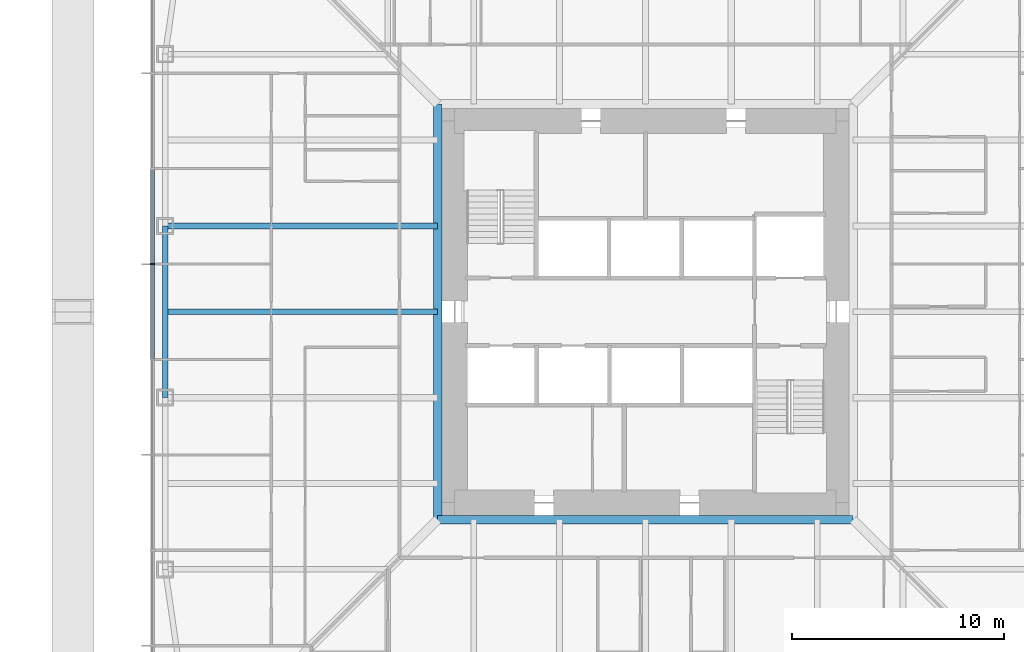
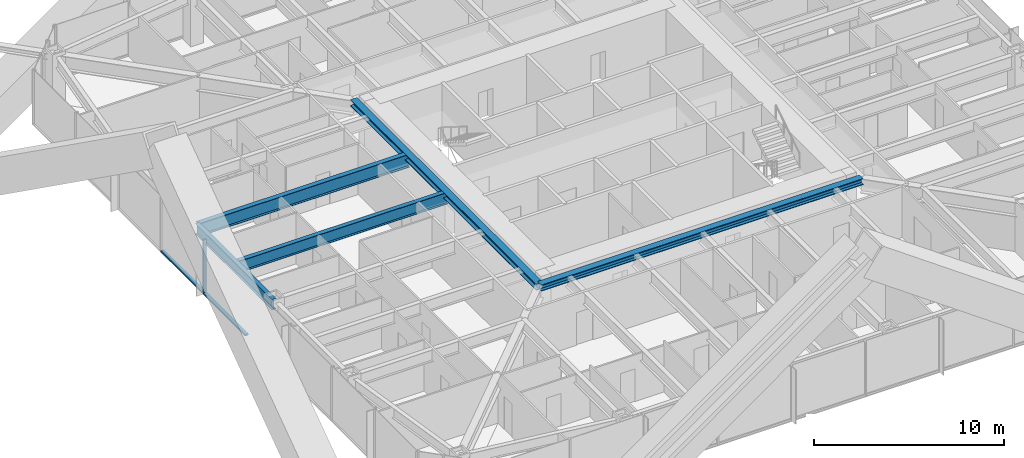
# One storey, part 4 of 28: 5 beams, 3 members, 1 element without a shape of its own.
"""IFC4 building model written with IfcOpenShell, lengths in metres."""

from ifc_helpers import new_model, si_unit, direction, frame, origin, origin_2d, place, context, subcontext, project, spatial, rectangle, i_section, extrude, material, material_profile, profile_set, type_object, element, aggregate, save


model = new_model("IFC4")

# Units and contexts
model_context = context("Model", 3, precision=1e-05, world=origin(), true_north=direction((0.0, 1.0)))
body_context = subcontext(model_context, "Body", "Model", "MODEL_VIEW")
ifc_project = project(units=[si_unit("LENGTHUNIT", "METRE"), si_unit("AREAUNIT", "SQUARE_METRE"), si_unit("VOLUMEUNIT", "CUBIC_METRE"), si_unit("PLANEANGLEUNIT", "RADIAN"), si_unit("MASSUNIT", "GRAM", prefix="KILO")], contexts=[model_context])

# Site, building, storey
site_placement = place(None, origin())
site = spatial("IfcSite", under=ifc_project, at=site_placement, CompositionType="ELEMENT")
building_placement = place(site_placement, origin())
building = spatial("IfcBuilding", under=site, at=building_placement, Name="Iwan Alto Co-Living Towers", CompositionType="ELEMENT")
storey_placement = place(building_placement, frame((0.0, 0.0, 43.0)))
storey = spatial("IfcBuildingStorey", under=building, at=storey_placement, Name="L11", CompositionType="ELEMENT", Elevation=43.0)

# Curtain wall, members
ifc_material_1 = material(Name="Bronze aluminium unitised frame", Category="aluminium")
curtain_wall_type = type_object("IfcCurtainWallType", Name="CURTAIN WALL CW-A", PredefinedType="NOTDEFINED", material=ifc_material_1)
curtain_wall_placement = place(storey_placement, origin())
curtain_wall = element("IfcCurtainWall", 1, at=curtain_wall_placement, inside=storey, type_object=curtain_wall_type, Name="T1 curtain wall W L11", PredefinedType="NOTDEFINED")
ifc_material_2 = material(Name="Aluminium 6063-T6 bronze anodised", Category="aluminium")
ifc_material_profile_1 = material_profile(ifc_material_2, rectangle(XDim=0.199951171875, YDim=0.080078125, at=origin_2d()), Name="AL 80X200")
ifc_profile_set_1 = profile_set([ifc_material_profile_1], Name="Aluminium 6063-T6 bronze anodised")
member_type_1 = type_object("IfcMemberType", Name="CW-A MULLION 80X200", PredefinedType="MULLION", material=ifc_profile_set_1)
member_1_placement = place(storey_placement, frame((-23.25, 2.25, 0.0), z_axis=(0.0, 0.0, 1.0), x_axis=(1.0, 0.0, 0.0)))
member_1 = element("IfcMember", 2, at=member_1_placement, type_object=member_type_1, Name="CW-A mullion 5", PredefinedType="MULLION", context=body_context, shape_type="SweptSolid", body=[
    extrude(rectangle(XDim=0.199951171875, YDim=0.080078125, at=origin_2d()), origin(), (0.0, 0.0, 1.0), 3.5),
])
ifc_material_3 = material(Name="Aluminium 6063-T6 bronze anodised", Category="aluminium")
ifc_material_profile_2 = material_profile(ifc_material_3, rectangle(XDim=0.199951171875, YDim=0.10009765625, at=origin_2d()), Name="AL 200X100")
ifc_profile_set_2 = profile_set([ifc_material_profile_2], Name="Aluminium 6063-T6 bronze anodised")
member_type_2 = type_object("IfcMemberType", Name="CW-A TRANSOM 200X100", PredefinedType="USERDEFINED", material=ifc_profile_set_2)
member_2_placement = place(storey_placement, frame((-23.25, 6.7099609375, 0.050048828125), z_axis=(0.0, -1.0, 0.0), x_axis=(1.0, 0.0, 0.0)))
member_2 = element("IfcMember", 3, at=member_2_placement, type_object=member_type_2, Name="CW-A transom 4.1", ObjectType="TRANSOM", PredefinedType="USERDEFINED", context=body_context, shape_type="SweptSolid", body=[
    extrude(rectangle(XDim=0.199951171875, YDim=0.10009765625, at=origin_2d()), origin(), (0.0, 0.0, 1.0), 4.419921875),
])
member_3_placement = place(storey_placement, frame((-23.25, 2.2099609375, 0.050048828125), z_axis=(0.0, -1.0, 0.0), x_axis=(1.0, 0.0, 0.0)))
member_3 = element("IfcMember", 4, at=member_3_placement, type_object=member_type_2, Name="CW-A transom 5.1", ObjectType="TRANSOM", PredefinedType="USERDEFINED", context=body_context, shape_type="SweptSolid", body=[
    extrude(rectangle(XDim=0.199951171875, YDim=0.10009765625, at=origin_2d()), origin(), (0.0, 0.0, 1.0), 4.419921875),
])
aggregate(curtain_wall, [member_1, member_2, member_3])

# Beams
ifc_material_4 = material(Name="Steel ASTM A992 Gr 50", Category="steel")
ifc_material_profile_3 = material_profile(ifc_material_4, i_section(OverallWidth=0.40380859375, OverallDepth=0.406494140625, WebThickness=0.027099609375, FlangeThickness=0.043701171875, at=origin_2d()), Name="W14X233")
ifc_profile_set_3 = profile_set([ifc_material_profile_3], Name="Steel ASTM A992 Gr 50")
beam_type_1 = type_object("IfcBeamType", Name="T1 CORE LEDGER BEAM W14X233", PredefinedType="BEAM", material=ifc_profile_set_3)
for number, where, z_axis, x_axis, name in (
    (5, (-9.802001953125, -9.802001953125, 3.06689453125), (1.0, 0.0, 0.0), (0.0, 1.0, 0.0), "T1 core ledger beam S L12"),
    (6, (-9.802001953125, 9.802001953125, 3.06689453125), (0.0, -1.0, 0.0), (1.0, 0.0, 0.0), "T1 core ledger beam W L12"),
):
    element("IfcBeam", number, at=place(storey_placement, frame(where, z_axis=z_axis, x_axis=x_axis)), inside=storey, type_object=beam_type_1, Name=name, PredefinedType="BEAM", context=body_context, shape_type="SweptSolid", body=[
        extrude(i_section(OverallWidth=0.40380859375, OverallDepth=0.406494140625, WebThickness=0.027099609375, FlangeThickness=0.043701171875, at=origin_2d()), origin(), (0.0, 0.0, 1.0), 19.60400390625),
    ])
ifc_material_5 = material(Name="Steel ASTM A992 Gr 50", Category="steel")
ifc_material_profile_4 = material_profile(ifc_material_5, i_section(OverallWidth=0.25390625, OverallDepth=0.683349609375, WebThickness=0.012451171875, FlangeThickness=0.018798828125, at=origin_2d()), Name="W27X94")
ifc_profile_set_4 = profile_set([ifc_material_profile_4], Name="Steel ASTM A992 Gr 50")
beam_type_2 = type_object("IfcBeamType", Name="T1 EDGE BEAM W27X94", PredefinedType="BEAM", material=ifc_profile_set_4)
beam_1_placement = place(storey_placement, frame((-22.64990234375, 4.050048828125, 2.928466796875), z_axis=(0.0, -1.0, 0.0), x_axis=(1.0, 0.0, 0.0)))
element("IfcBeam", 7, at=beam_1_placement, inside=storey, type_object=beam_type_2, Name="T1 edge beam W2 L12", PredefinedType="BEAM", context=body_context, shape_type="SweptSolid", body=[
    extrude(i_section(OverallWidth=0.25390625, OverallDepth=0.683349609375, WebThickness=0.012451171875, FlangeThickness=0.018798828125, at=origin_2d()), origin(), (0.0, 0.0, 1.0), 8.10009765625),
])
ifc_material_6 = material(Name="Steel ASTM A992 Gr 50", Category="steel")
ifc_material_profile_5 = material_profile(ifc_material_6, i_section(OverallWidth=0.2919921875, OverallDepth=0.8408203125, WebThickness=0.0146484375, FlangeThickness=0.021728515625, at=origin_2d()), Name="W33X130")
ifc_profile_set_5 = profile_set([ifc_material_profile_5], Name="Steel ASTM A992 Gr 50")
beam_type_3 = type_object("IfcBeamType", Name="T1 RADIAL BEAM W33X130", PredefinedType="BEAM", material=ifc_profile_set_5)
beam_2_placement = place(storey_placement, frame((-22.64990234375, 4.050048828125, 2.849609375), z_axis=(1.0, 0.0, 0.0), x_axis=(0.0, 1.0, 0.0)))
element("IfcBeam", 8, at=beam_2_placement, inside=storey, type_object=beam_type_3, Name="T1 radial beam W2 L12", PredefinedType="BEAM", context=body_context, shape_type="SweptSolid", body=[
    extrude(i_section(OverallWidth=0.2919921875, OverallDepth=0.8408203125, WebThickness=0.0146484375, FlangeThickness=0.021728515625, at=origin_2d()), origin(), (0.0, 0.0, 1.0), 12.847900390625),
])
ifc_material_7 = material(Name="Steel ASTM A992 Gr 50", Category="steel")
ifc_material_profile_6 = material_profile(ifc_material_7, i_section(OverallWidth=0.2666015625, OverallDepth=0.761962890625, WebThickness=0.014404296875, FlangeThickness=0.021484375, at=origin_2d()), Name="W30X116")
ifc_profile_set_6 = profile_set([ifc_material_profile_6], Name="Steel ASTM A992 Gr 50")
beam_type_4 = type_object("IfcBeamType", Name="T1 SECONDARY BEAM W30X116", PredefinedType="JOIST", material=ifc_profile_set_6)
beam_3_placement = place(storey_placement, frame((-22.64990234375, 0.0, 2.888916015625), z_axis=(1.0, 0.0, 0.0), x_axis=(0.0, 1.0, 0.0)))
element("IfcBeam", 9, at=beam_3_placement, inside=storey, type_object=beam_type_4, Name="T1 secondary beam W2 L12", PredefinedType="JOIST", context=body_context, shape_type="SweptSolid", body=[
    extrude(i_section(OverallWidth=0.2666015625, OverallDepth=0.761962890625, WebThickness=0.014404296875, FlangeThickness=0.021484375, at=origin_2d()), origin(), (0.0, 0.0, 1.0), 12.847900390625),
])

save(model, "model.ifc")
